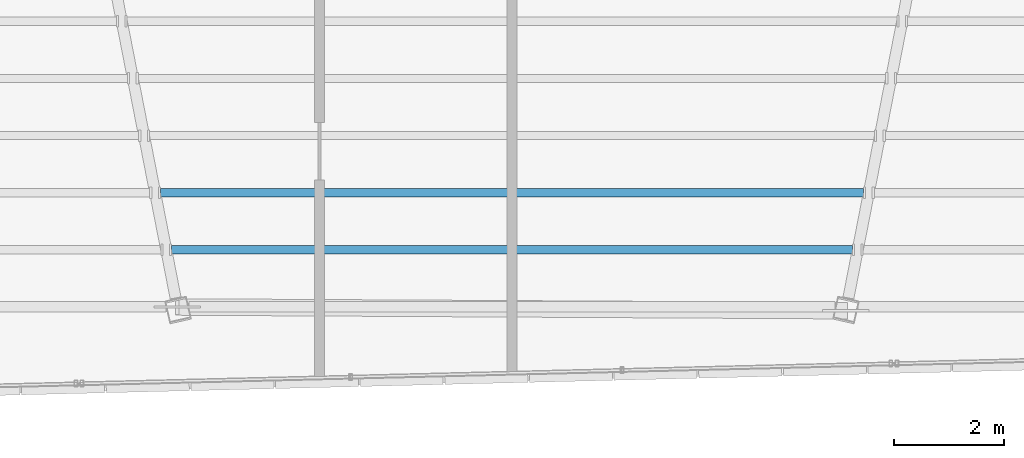
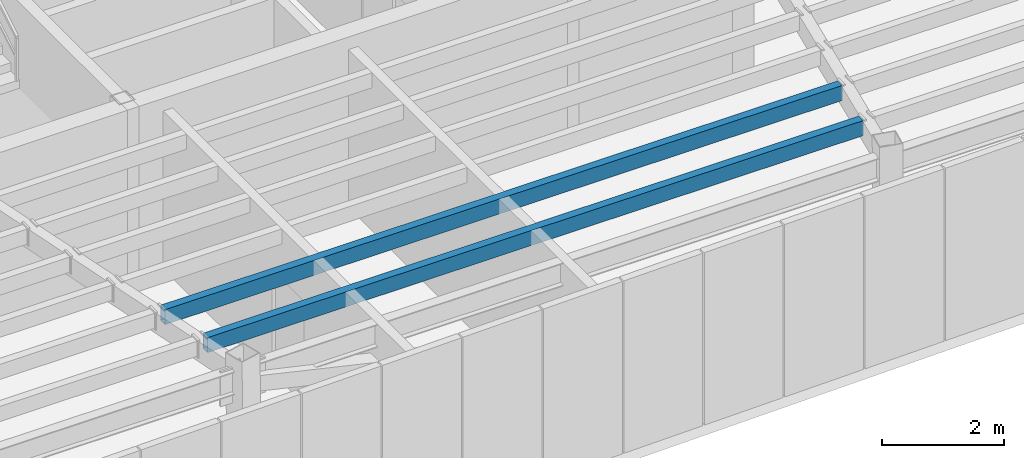
# One storey, part 14 of 47: 2 beams.
"""IFC4 building model written with IfcOpenShell, lengths in metres."""

import ifcopenshell
import ifcopenshell.guid

model = None  # the IFC model being written
_history = None  # IfcOwnerHistory: only IFC2X3 demands one
_inside = {}  # id of a spatial element -> (the spatial element, [elements in it])
_under = {}  # id of a project, library or spatial element -> (it, [spatial elements below it])
_declared = {}  # id of a project -> (the project, [libraries it declares])
_typed = {}  # id of a type object -> (the type object, [elements of that type])
_made_of = {}  # id of a material, layer set ... -> (it, [elements and type objects made of it])


def new_model(schema):
    """Start an empty IFC model of exactly this schema.

    Asked for "IFC4X3", IfcOpenShell would pick the latest addendum, in which some entities
    have other attributes; the version numbers below select the first issue.
    IFC2X3 requires an IfcOwnerHistory on every rooted entity: one is made here for all.
    """
    global model, _history
    if schema == "IFC4X3":
        model = ifcopenshell.file(schema_version=(4, 3, 0, 0))
    else:
        model = ifcopenshell.file(schema=schema)
    _inside.clear()
    _under.clear()
    _declared.clear()
    _typed.clear()
    _made_of.clear()
    _history = None
    if model.schema == "IFC2X3":
        org = make("IfcOrganization", Name="unknown")
        user = make(
            "IfcPersonAndOrganization",
            ThePerson=make("IfcPerson", FamilyName="unknown"),
            TheOrganization=org,
        )
        app = make(
            "IfcApplication",
            ApplicationDeveloper=org,
            Version="unknown",
            ApplicationFullName="unknown",
            ApplicationIdentifier="unknown",
        )
        _history = make(
            "IfcOwnerHistory",
            OwningUser=user,
            OwningApplication=app,
            ChangeAction="ADDED",
            CreationDate=0,
        )
    return model


def make(cls, **values):
    """One entity of the class cls with the attributes given. An attribute that is None is left unset."""
    return model.create_entity(
        cls, **{name: value for name, value in values.items() if value is not None}
    )


def rooted(cls, **values):
    """An entity with a GlobalId (a new one), such as an element, a storey or a relation."""
    return make(cls, GlobalId=ifcopenshell.guid.new(), OwnerHistory=_history, **values)


def si_unit(unit_type, name, prefix=None):
    """IfcSIUnit, for example si_unit("LENGTHUNIT", "METRE", prefix="MILLI")."""
    return make("IfcSIUnit", UnitType=unit_type, Prefix=prefix, Name=name)


def assignment(units):
    """IfcUnitAssignment: the units of a project."""
    return None if units is None else make("IfcUnitAssignment", Units=units)


def point(xyz):
    """IfcCartesianPoint."""
    return None if xyz is None else make("IfcCartesianPoint", Coordinates=xyz)


def direction(xyz):
    """IfcDirection."""
    return None if xyz is None else make("IfcDirection", DirectionRatios=xyz)


def frame(location, z_axis=None, x_axis=None):
    """IfcAxis2Placement3D, a coordinate frame: its origin and axes. An axis left out is left unset."""
    return make(
        "IfcAxis2Placement3D",
        Location=point(location),
        Axis=direction(z_axis),
        RefDirection=direction(x_axis),
    )


def frame_2d(location, x_axis=None):
    """IfcAxis2Placement2D, a coordinate frame in the plane: its origin and x axis."""
    return make(
        "IfcAxis2Placement2D", Location=point(location), RefDirection=direction(x_axis)
    )


def origin():
    """The frame at (0, 0, 0) with its axes left unset."""
    return frame((0.0, 0.0, 0.0))


def origin_2d():
    """The frame at (0, 0) in the plane with its x axis left unset."""
    return frame_2d((0.0, 0.0))


def place(relative_to, where):
    """IfcLocalPlacement: puts the frame where relative to a parent placement (None: the world)."""
    return make(
        "IfcLocalPlacement", PlacementRelTo=relative_to, RelativePlacement=where
    )


def context(
    kind, dimensions, precision=None, world=None, true_north=None, identifier=None
):
    """IfcGeometricRepresentationContext, for example the 3D "Model" context."""
    return make(
        "IfcGeometricRepresentationContext",
        ContextIdentifier=identifier,
        ContextType=kind,
        CoordinateSpaceDimension=dimensions,
        Precision=precision,
        WorldCoordinateSystem=world,
        TrueNorth=true_north,
    )


def subcontext(parent, identifier, kind, view, scale=None):
    """IfcGeometricRepresentationSubContext, for example "Body" below "Model"."""
    return make(
        "IfcGeometricRepresentationSubContext",
        ContextIdentifier=identifier,
        ContextType=kind,
        ParentContext=parent,
        TargetScale=scale,
        TargetView=view,
    )


def project(units=None, contexts=None):
    """IfcProject with its units and contexts."""
    return rooted(
        "IfcProject",
        Name="project",
        RepresentationContexts=contexts,
        UnitsInContext=assignment(units),
    )


def spatial(cls, under=None, at=None, **own):
    """A site, building, storey or space (cls), placed at a placement, below another one or the project."""
    s = rooted(cls, ObjectPlacement=at, **own)
    if under is not None:
        _under.setdefault(under.id(), (under, []))[1].append(s)
    return s


def profile(cls, at=None, kind="AREA", **sizes):
    """A parametric profile (cls). Its sizes go by their IFC names, for example OverallWidth=200.0."""
    return make(cls, ProfileType=kind, Position=at, **sizes)


def hollow_rectangle(**sizes):
    """IfcRectangleHollowProfileDef."""
    return profile("IfcRectangleHollowProfileDef", **sizes)


def extrude(swept, where, along, depth):
    """IfcExtrudedAreaSolid: the profile swept, set in the frame where, extruded along a direction by depth."""
    return make(
        "IfcExtrudedAreaSolid",
        SweptArea=swept,
        Position=where,
        ExtrudedDirection=direction(along),
        Depth=depth,
    )


def shape(context_of_items, identifier, shape_type, items):
    """IfcShapeRepresentation: the items that make up one representation, for example the "Body"."""
    return make(
        "IfcShapeRepresentation",
        ContextOfItems=context_of_items,
        RepresentationIdentifier=identifier,
        RepresentationType=shape_type,
        Items=items,
    )


def source(mapping_origin, context_of_items, identifier, shape_type, items):
    """IfcRepresentationMap: a shape defined once, which mapped items show again and again."""
    return make(
        "IfcRepresentationMap",
        MappingOrigin=mapping_origin,
        MappedRepresentation=shape(context_of_items, identifier, shape_type, items),
    )


def transform(
    local_origin,
    x_axis=None,
    y_axis=None,
    z_axis=None,
    scale=None,
    scale2=None,
    scale3=None,
    uniform=True,
):
    """IfcCartesianTransformationOperator3D, or its non-uniform kind. x_axis, y_axis, z_axis: its Axis1, 2, 3."""
    if uniform:
        return make(
            "IfcCartesianTransformationOperator3D",
            Axis1=direction(x_axis),
            Axis2=direction(y_axis),
            LocalOrigin=point(local_origin),
            Scale=scale,
            Axis3=direction(z_axis),
        )
    return make(
        "IfcCartesianTransformationOperator3DnonUniform",
        Axis1=direction(x_axis),
        Axis2=direction(y_axis),
        LocalOrigin=point(local_origin),
        Scale=scale,
        Axis3=direction(z_axis),
        Scale2=scale2,
        Scale3=scale3,
    )


def mapped(mapping_source, mapping_target):
    """IfcMappedItem: shows the shape of a source again, moved by a transform."""
    return make(
        "IfcMappedItem", MappingSource=mapping_source, MappingTarget=mapping_target
    )


def material(Name=None, Category=None):
    """IfcMaterial."""
    return make("IfcMaterial", Name=Name, Category=Category)


def material_profile(
    of_material, cross_section, Name=None, Category=None, Priority=None
):
    """IfcMaterialProfile: a cross section and its material."""
    return make(
        "IfcMaterialProfile",
        Name=Name,
        Material=of_material,
        Profile=cross_section,
        Priority=Priority,
        Category=Category,
    )


def profile_set(profiles, Name=None, composite=None):
    """IfcMaterialProfileSet."""
    return make(
        "IfcMaterialProfileSet",
        Name=Name,
        MaterialProfiles=profiles,
        CompositeProfile=composite,
    )


def made_of(thing, what):
    """Note that an element or type object is made of a material, layer set ...; save() writes the relation."""
    if what is not None:
        _made_of.setdefault(what.id(), (what, []))[1].append(thing)
    return thing


def type_object(cls, material=None, **own):
    """A type object (cls), such as IfcWallType, which elements share."""
    return made_of(rooted(cls, **own), material)


def type_shapes(of_type, sources):
    """Give a type object the sources (RepresentationMaps) that its elements show as mapped items."""
    of_type.RepresentationMaps = sources


def element(
    cls,
    number,
    at=None,
    inside=None,
    cuts=None,
    type_object=None,
    material=None,
    context=None,
    identifier="Body",
    shape_type=None,
    held_by="IfcProductDefinitionShape",
    body=None,
    shapes=None,
    **own,
):
    """One element of the class cls, such as IfcWall. Its Tag is "e" and its number.

    at: its placement. inside: the storey or other place that contains it. cuts: it is an
    opening in that element (IfcRelVoidsElement). A single representation is given by context,
    identifier, shape_type and body (its items); several are given by shapes. held_by: the class
    of the entity that holds the representations. save() writes the other relations.
    """
    e = rooted(cls, Tag="e%d" % number, ObjectPlacement=at, **own)
    if body is not None:
        shapes = [shape(context, identifier, shape_type, body)]
    if shapes is not None:
        e.Representation = make(held_by, Representations=shapes)
    if inside is not None:
        _inside.setdefault(inside.id(), (inside, []))[1].append(e)
    if cuts is not None:
        rooted(
            "IfcRelVoidsElement", RelatingBuildingElement=cuts, RelatedOpeningElement=e
        )
    if type_object is not None:
        _typed.setdefault(type_object.id(), (type_object, []))[1].append(e)
    return made_of(e, material)


def aggregate(whole, parts):
    """IfcRelAggregates: a whole, such as a stair, and the parts it consists of."""
    return rooted("IfcRelAggregates", RelatingObject=whole, RelatedObjects=parts)


def save(model, path):
    """Write the relations noted so far, then the file.

    IfcRelAggregates (storeys below a building ...), IfcRelContainedInSpatialStructure (elements
    in a storey), IfcRelDefinesByType, IfcRelAssociatesMaterial and IfcRelDeclares: one each for
    every whole, place, type object, material and project.
    """
    for whole, parts in _under.values():
        aggregate(whole, parts)
    for where, things in _inside.values():
        rooted(
            "IfcRelContainedInSpatialStructure",
            RelatedElements=things,
            RelatingStructure=where,
        )
    for kind, things in _typed.values():
        rooted("IfcRelDefinesByType", RelatedObjects=things, RelatingType=kind)
    for what, things in _made_of.values():
        rooted("IfcRelAssociatesMaterial", RelatedObjects=things, RelatingMaterial=what)
    for by, libraries in _declared.values():
        rooted("IfcRelDeclares", RelatingContext=by, RelatedDefinitions=libraries)
    model.write(path)


model = new_model("IFC4")

# Units and contexts
model_context = context("Model", 3, precision=1e-05, world=origin(), true_north=direction((0.0, 1.0)))
body_context = subcontext(model_context, "Body", "Model", "MODEL_VIEW")
ifc_project = project(units=[si_unit("LENGTHUNIT", "METRE"), si_unit("AREAUNIT", "SQUARE_METRE"), si_unit("VOLUMEUNIT", "CUBIC_METRE"), si_unit("PLANEANGLEUNIT", "RADIAN"), si_unit("MASSUNIT", "GRAM", prefix="KILO")], contexts=[model_context])

# Site, building, storey
site_placement = place(None, origin())
site = spatial("IfcSite", under=ifc_project, at=site_placement, CompositionType="ELEMENT")
building_placement = place(site_placement, origin())
building = spatial("IfcBuilding", under=site, at=building_placement, Name="Caelisora Broadcast Tower", CompositionType="ELEMENT")
storey_placement = place(building_placement, frame((0.0, 0.0, 293.199951171875)))
storey = spatial("IfcBuildingStorey", under=building, at=storey_placement, Name="L77", CompositionType="ELEMENT", Elevation=293.199951171875)

# Beams
ifc_material = material(Name="Steel Grade 350 (AS/NZS 1163 C350L0)", Category="steel")
ifc_material_profile = material_profile(ifc_material, hollow_rectangle(XDim=0.14990234375, YDim=0.300048828125, WallThickness=0.010009765625, at=origin_2d()), Name="Steel Grade 350 (AS/NZS 1163 C350L0)")
ifc_profile_set = profile_set([ifc_material_profile], Name="Steel Grade 350 (AS/NZS 1163 C350L0)")
beam_type = type_object("IfcBeamType", Name="SB05", PredefinedType="JOIST", material=ifc_profile_set)
shared_shape_1 = source(origin(), body_context, "Body", "SweptSolid", [
    extrude(hollow_rectangle(XDim=0.14990234375, YDim=0.300048828125, WallThickness=0.010009765625, at=origin_2d()), origin(), (0.0, 0.0, 1.0), 12.37646484375),
])
beam_1_placement = place(storey_placement, frame((31.811767578125, 11.1669921875, 3.0), z_axis=(1.0, 0.0, 0.0), x_axis=(0.0, 1.0, 0.0)))
element("IfcBeam", 1, at=beam_1_placement, inside=storey, type_object=beam_type, Name="L77 beam SB05", PredefinedType="JOIST", context=body_context, shape_type="MappedRepresentation", body=[
    mapped(shared_shape_1, transform((0.0, 0.0, 0.0), scale=1.0)),
])
shared_shape_2 = source(origin(), body_context, "Body", "SweptSolid", [
    extrude(hollow_rectangle(XDim=0.14990234375, YDim=0.300048828125, WallThickness=0.010009765625, at=origin_2d()), origin(), (0.0, 0.0, 1.0), 12.78076171875),
])
type_shapes(beam_type, [shared_shape_1, shared_shape_2])
beam_2_placement = place(storey_placement, frame((31.609619140625, 12.205810546875, 3.0), z_axis=(1.0, 0.0, 0.0), x_axis=(0.0, 1.0, 0.0)))
element("IfcBeam", 2, at=beam_2_placement, inside=storey, type_object=beam_type, Name="L77 beam SB05", PredefinedType="JOIST", context=body_context, shape_type="MappedRepresentation", body=[
    mapped(shared_shape_2, transform((0.0, 0.0, 0.0), scale=1.0)),
])

save(model, "model.ifc")
